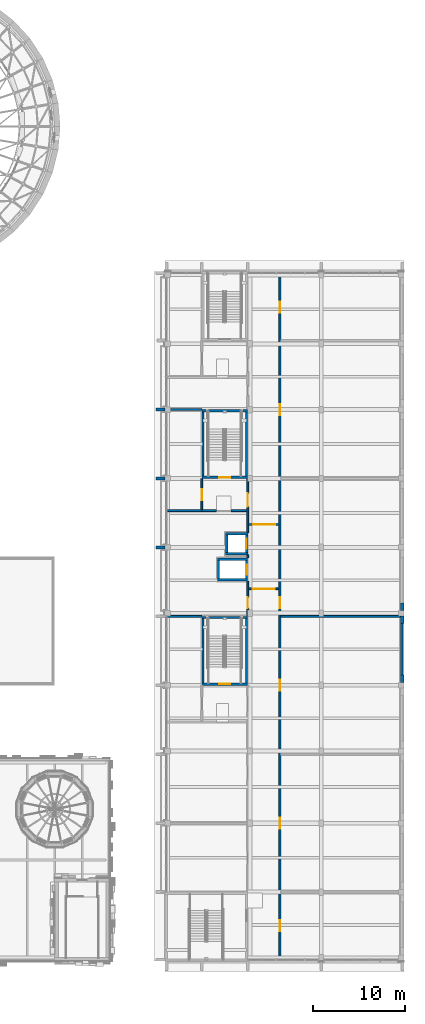
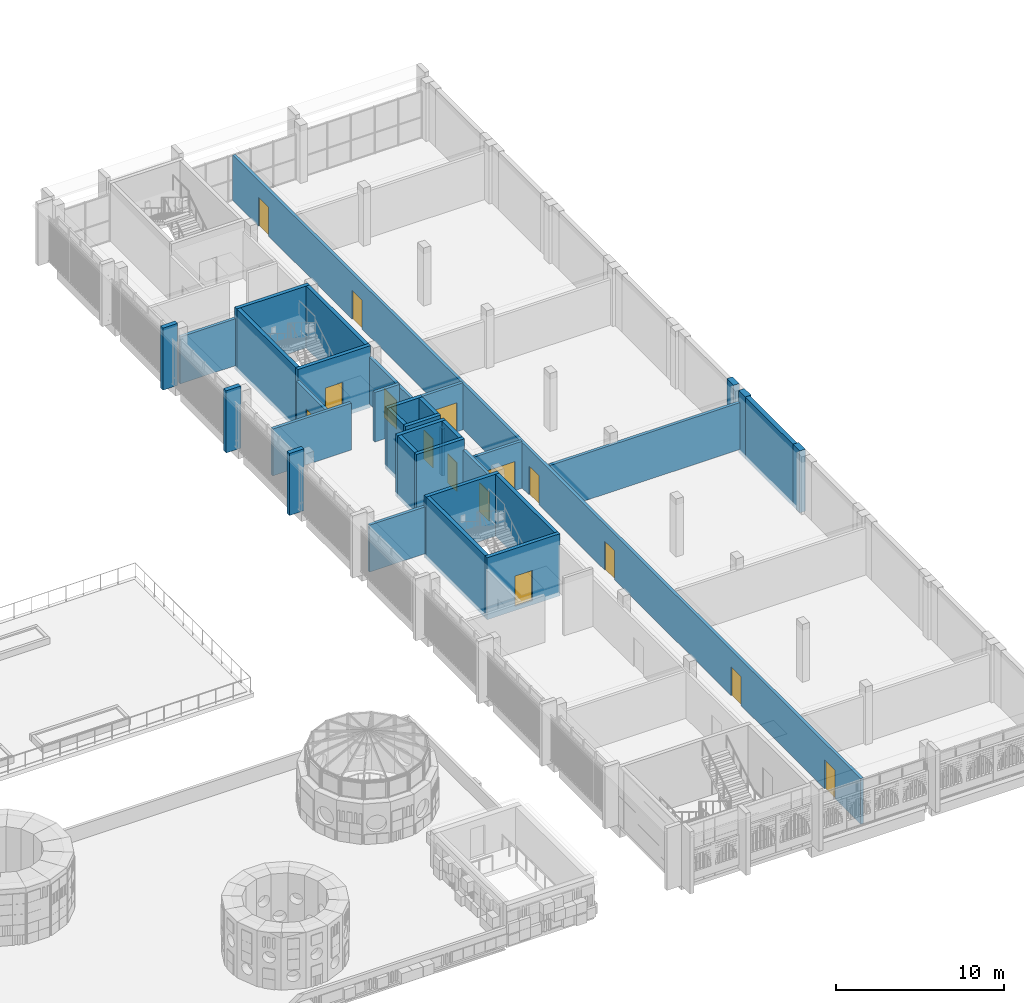
# One storey, part 55 of 98: 35 walls, 15 doors, 15 openings.
"""IFC4 building model written with IfcOpenShell, lengths in metres."""

import ifcopenshell
import ifcopenshell.guid

model = None  # the IFC model being written
_history = None  # IfcOwnerHistory: only IFC2X3 demands one
_inside = {}  # id of a spatial element -> (the spatial element, [elements in it])
_under = {}  # id of a project, library or spatial element -> (it, [spatial elements below it])
_declared = {}  # id of a project -> (the project, [libraries it declares])
_typed = {}  # id of a type object -> (the type object, [elements of that type])
_made_of = {}  # id of a material, layer set ... -> (it, [elements and type objects made of it])


def new_model(schema):
    """Start an empty IFC model of exactly this schema.

    Asked for "IFC4X3", IfcOpenShell would pick the latest addendum, in which some entities
    have other attributes; the version numbers below select the first issue.
    IFC2X3 requires an IfcOwnerHistory on every rooted entity: one is made here for all.
    """
    global model, _history
    if schema == "IFC4X3":
        model = ifcopenshell.file(schema_version=(4, 3, 0, 0))
    else:
        model = ifcopenshell.file(schema=schema)
    _inside.clear()
    _under.clear()
    _declared.clear()
    _typed.clear()
    _made_of.clear()
    _history = None
    if model.schema == "IFC2X3":
        org = make("IfcOrganization", Name="unknown")
        user = make(
            "IfcPersonAndOrganization",
            ThePerson=make("IfcPerson", FamilyName="unknown"),
            TheOrganization=org,
        )
        app = make(
            "IfcApplication",
            ApplicationDeveloper=org,
            Version="unknown",
            ApplicationFullName="unknown",
            ApplicationIdentifier="unknown",
        )
        _history = make(
            "IfcOwnerHistory",
            OwningUser=user,
            OwningApplication=app,
            ChangeAction="ADDED",
            CreationDate=0,
        )
    return model


def make(cls, **values):
    """One entity of the class cls with the attributes given. An attribute that is None is left unset."""
    return model.create_entity(
        cls, **{name: value for name, value in values.items() if value is not None}
    )


def rooted(cls, **values):
    """An entity with a GlobalId (a new one), such as an element, a storey or a relation."""
    return make(cls, GlobalId=ifcopenshell.guid.new(), OwnerHistory=_history, **values)


def si_unit(unit_type, name, prefix=None):
    """IfcSIUnit, for example si_unit("LENGTHUNIT", "METRE", prefix="MILLI")."""
    return make("IfcSIUnit", UnitType=unit_type, Prefix=prefix, Name=name)


def assignment(units):
    """IfcUnitAssignment: the units of a project."""
    return None if units is None else make("IfcUnitAssignment", Units=units)


def point(xyz):
    """IfcCartesianPoint."""
    return None if xyz is None else make("IfcCartesianPoint", Coordinates=xyz)


def direction(xyz):
    """IfcDirection."""
    return None if xyz is None else make("IfcDirection", DirectionRatios=xyz)


def frame(location, z_axis=None, x_axis=None):
    """IfcAxis2Placement3D, a coordinate frame: its origin and axes. An axis left out is left unset."""
    return make(
        "IfcAxis2Placement3D",
        Location=point(location),
        Axis=direction(z_axis),
        RefDirection=direction(x_axis),
    )


def frame_2d(location, x_axis=None):
    """IfcAxis2Placement2D, a coordinate frame in the plane: its origin and x axis."""
    return make(
        "IfcAxis2Placement2D", Location=point(location), RefDirection=direction(x_axis)
    )


def origin():
    """The frame at (0, 0, 0) with its axes left unset."""
    return frame((0.0, 0.0, 0.0))


def place(relative_to, where):
    """IfcLocalPlacement: puts the frame where relative to a parent placement (None: the world)."""
    return make(
        "IfcLocalPlacement", PlacementRelTo=relative_to, RelativePlacement=where
    )


def context(
    kind, dimensions, precision=None, world=None, true_north=None, identifier=None
):
    """IfcGeometricRepresentationContext, for example the 3D "Model" context."""
    return make(
        "IfcGeometricRepresentationContext",
        ContextIdentifier=identifier,
        ContextType=kind,
        CoordinateSpaceDimension=dimensions,
        Precision=precision,
        WorldCoordinateSystem=world,
        TrueNorth=true_north,
    )


def subcontext(parent, identifier, kind, view, scale=None):
    """IfcGeometricRepresentationSubContext, for example "Body" below "Model"."""
    return make(
        "IfcGeometricRepresentationSubContext",
        ContextIdentifier=identifier,
        ContextType=kind,
        ParentContext=parent,
        TargetScale=scale,
        TargetView=view,
    )


def project(units=None, contexts=None):
    """IfcProject with its units and contexts."""
    return rooted(
        "IfcProject",
        Name="project",
        RepresentationContexts=contexts,
        UnitsInContext=assignment(units),
    )


def spatial(cls, under=None, at=None, **own):
    """A site, building, storey or space (cls), placed at a placement, below another one or the project."""
    s = rooted(cls, ObjectPlacement=at, **own)
    if under is not None:
        _under.setdefault(under.id(), (under, []))[1].append(s)
    return s


def profile(cls, at=None, kind="AREA", **sizes):
    """A parametric profile (cls). Its sizes go by their IFC names, for example OverallWidth=200.0."""
    return make(cls, ProfileType=kind, Position=at, **sizes)


def rectangle(**sizes):
    """IfcRectangleProfileDef."""
    return profile("IfcRectangleProfileDef", **sizes)


def extrude(swept, where, along, depth):
    """IfcExtrudedAreaSolid: the profile swept, set in the frame where, extruded along a direction by depth."""
    return make(
        "IfcExtrudedAreaSolid",
        SweptArea=swept,
        Position=where,
        ExtrudedDirection=direction(along),
        Depth=depth,
    )


def shape(context_of_items, identifier, shape_type, items):
    """IfcShapeRepresentation: the items that make up one representation, for example the "Body"."""
    return make(
        "IfcShapeRepresentation",
        ContextOfItems=context_of_items,
        RepresentationIdentifier=identifier,
        RepresentationType=shape_type,
        Items=items,
    )


def material(Name=None, Category=None):
    """IfcMaterial."""
    return make("IfcMaterial", Name=Name, Category=Category)


def layer(
    of_material, thickness, ventilated=None, Name=None, Category=None, Priority=None
):
    """IfcMaterialLayer: one layer of a wall or slab, of a material (None: an air gap)."""
    return make(
        "IfcMaterialLayer",
        Material=of_material,
        LayerThickness=thickness,
        IsVentilated=ventilated,
        Name=Name,
        Category=Category,
        Priority=Priority,
    )


def layer_set(layers, Name=None):
    """IfcMaterialLayerSet."""
    return make("IfcMaterialLayerSet", MaterialLayers=layers, LayerSetName=Name)


def made_of(thing, what):
    """Note that an element or type object is made of a material, layer set ...; save() writes the relation."""
    if what is not None:
        _made_of.setdefault(what.id(), (what, []))[1].append(thing)
    return thing


def type_object(cls, material=None, **own):
    """A type object (cls), such as IfcWallType, which elements share."""
    return made_of(rooted(cls, **own), material)


def element(
    cls,
    number,
    at=None,
    inside=None,
    cuts=None,
    type_object=None,
    material=None,
    context=None,
    identifier="Body",
    shape_type=None,
    held_by="IfcProductDefinitionShape",
    body=None,
    shapes=None,
    **own,
):
    """One element of the class cls, such as IfcWall. Its Tag is "e" and its number.

    at: its placement. inside: the storey or other place that contains it. cuts: it is an
    opening in that element (IfcRelVoidsElement). A single representation is given by context,
    identifier, shape_type and body (its items); several are given by shapes. held_by: the class
    of the entity that holds the representations. save() writes the other relations.
    """
    e = rooted(cls, Tag="e%d" % number, ObjectPlacement=at, **own)
    if body is not None:
        shapes = [shape(context, identifier, shape_type, body)]
    if shapes is not None:
        e.Representation = make(held_by, Representations=shapes)
    if inside is not None:
        _inside.setdefault(inside.id(), (inside, []))[1].append(e)
    if cuts is not None:
        rooted(
            "IfcRelVoidsElement", RelatingBuildingElement=cuts, RelatedOpeningElement=e
        )
    if type_object is not None:
        _typed.setdefault(type_object.id(), (type_object, []))[1].append(e)
    return made_of(e, material)


def fill(opening, filler):
    """IfcRelFillsElement: the door or window that sits in an opening."""
    return rooted(
        "IfcRelFillsElement",
        RelatingOpeningElement=opening,
        RelatedBuildingElement=filler,
    )


def aggregate(whole, parts):
    """IfcRelAggregates: a whole, such as a stair, and the parts it consists of."""
    return rooted("IfcRelAggregates", RelatingObject=whole, RelatedObjects=parts)


def save(model, path):
    """Write the relations noted so far, then the file.

    IfcRelAggregates (storeys below a building ...), IfcRelContainedInSpatialStructure (elements
    in a storey), IfcRelDefinesByType, IfcRelAssociatesMaterial and IfcRelDeclares: one each for
    every whole, place, type object, material and project.
    """
    for whole, parts in _under.values():
        aggregate(whole, parts)
    for where, things in _inside.values():
        rooted(
            "IfcRelContainedInSpatialStructure",
            RelatedElements=things,
            RelatingStructure=where,
        )
    for kind, things in _typed.values():
        rooted("IfcRelDefinesByType", RelatedObjects=things, RelatingType=kind)
    for what, things in _made_of.values():
        rooted("IfcRelAssociatesMaterial", RelatedObjects=things, RelatingMaterial=what)
    for by, libraries in _declared.values():
        rooted("IfcRelDeclares", RelatingContext=by, RelatedDefinitions=libraries)
    model.write(path)


model = new_model("IFC4")

# Units and contexts
model_context = context("Model", 3, precision=1e-05, world=origin(), true_north=direction((0.0, 1.0)))
body_context = subcontext(model_context, "Body", "Model", "MODEL_VIEW")
ifc_project = project(units=[si_unit("LENGTHUNIT", "METRE"), si_unit("AREAUNIT", "SQUARE_METRE"), si_unit("VOLUMEUNIT", "CUBIC_METRE"), si_unit("PLANEANGLEUNIT", "RADIAN"), si_unit("MASSUNIT", "GRAM", prefix="KILO")], contexts=[model_context])

# Site, building, storey
site_placement = place(None, origin())
site = spatial("IfcSite", under=ifc_project, at=site_placement, CompositionType="ELEMENT")
building_placement = place(site_placement, origin())
building = spatial("IfcBuilding", under=site, at=building_placement, Name="Sun Court Science Centre", CompositionType="ELEMENT")
storey_placement = place(building_placement, frame((0.0, 0.0, 15.75)))
storey = spatial("IfcBuildingStorey", under=building, at=storey_placement, Name="L03", CompositionType="ELEMENT", Elevation=15.75)

# Walls
ifc_material_1 = material(Name="Concrete C30/37", Category="concrete")
ifc_layer_1 = layer(ifc_material_1, 0.300048828125)
ifc_layer_set_1 = layer_set([ifc_layer_1], Name="Concrete C30/37")
wall_type_1 = type_object("IfcWallType", Name="Facade fin RC 300", PredefinedType="SOLIDWALL", material=ifc_layer_set_1)
for number, where, z_axis, x_axis, name in (
    (1, (77.0, 51.0, 0.0), (0.0, 0.0, 1.0), (1.0, 0.0, 0.0), "Facade fin 07 L03"),
    (2, (77.0, 58.5, 0.0), (0.0, 0.0, 1.0), (1.0, 0.0, 0.0), "Facade fin 08 L03"),
    (3, (77.0, 66.0, 0.0), (0.0, 0.0, 1.0), (1.0, 0.0, 0.0), "Facade fin 09 L03"),
):
    element("IfcWall", number, at=place(storey_placement, frame(where, z_axis=z_axis, x_axis=x_axis)), inside=storey, type_object=wall_type_1, Name=name, PredefinedType="SOLIDWALL", context=body_context, shape_type="SweptSolid", body=[
        extrude(rectangle(XDim=1.0, YDim=0.300048828125, at=frame_2d((0.5, 0.0))), origin(), (0.0, 0.0, 1.0), 4.5),
    ])
ifc_material_2 = material(Name="Concrete block", Category="concrete")
ifc_layer_2 = layer(ifc_material_2, 0.199951171875)
ifc_layer_set_2 = layer_set([ifc_layer_2], Name="Concrete block")
wall_type_2 = type_object("IfcWallType", Name="Partition 200 block EI60", PredefinedType="PARTITIONING", material=ifc_layer_set_2)
wall_1_placement = place(storey_placement, frame((78.199951171875, 55.0, 0.0), z_axis=(0.0, 0.0, 1.0), x_axis=(1.0, 0.0, 0.0)))
element("IfcWall", 4, at=wall_1_placement, inside=storey, type_object=wall_type_2, Name="L03 partition 010", PredefinedType="PARTITIONING", context=body_context, shape_type="SweptSolid", body=[
    extrude(rectangle(XDim=5.400146484375, YDim=0.199951171875, at=frame_2d((2.7001953125, 0.0))), origin(), (0.0, 0.0, 1.0), 3.39990234375),
])
wall_2_placement = place(storey_placement, frame((85.199951171875, 55.0, 0.0), z_axis=(0.0, 0.0, 1.0), x_axis=(1.0, 0.0, 0.0)))
element("IfcWall", 5, at=wall_2_placement, inside=storey, type_object=wall_type_2, Name="L03 partition 011", PredefinedType="PARTITIONING", context=body_context, shape_type="SweptSolid", body=[
    extrude(rectangle(XDim=1.699951171875, YDim=0.199951171875, at=frame_2d((0.85009765625, 0.0))), origin(), (0.0, 0.0, 1.0), 3.60009765625),
])
wall_3_placement = place(storey_placement, frame((87.0, 49.85205078125, 0.0), z_axis=(0.0, 0.0, 1.0), x_axis=(0.0, 1.0, 0.0)))
element("IfcWall", 6, at=wall_3_placement, inside=storey, type_object=wall_type_2, Name="L03 partition 020", PredefinedType="PARTITIONING", context=body_context, shape_type="SweptSolid", body=[
    extrude(rectangle(XDim=0.33349609375, YDim=0.199951171875, at=frame_2d((0.166748046875, 0.0))), origin(), (0.0, 0.0, 1.0), 3.39990234375),
])

# Wall, opening, door
wall_4_placement = place(storey_placement, frame((82.0, 55.10009765625, 0.0), z_axis=(0.0, 0.0, 1.0), x_axis=(0.0, 1.0, 0.0)))
wall_4 = element("IfcWall", 7, at=wall_4_placement, inside=storey, type_object=wall_type_2, Name="L03 partition 024", PredefinedType="PARTITIONING", context=body_context, shape_type="SweptSolid", body=[
    extrude(rectangle(XDim=3.39794921875, YDim=0.199951171875, at=frame_2d((1.698974609375, 0.0))), origin(), (0.0, 0.0, 1.0), 3.39990234375),
])
opening_1_placement = place(wall_4_placement, frame((1.051025390625, 0.0, 0.0)))
opening_1 = element("IfcOpeningElement", 8, at=opening_1_placement, cuts=wall_4, Name="Opening D-L03-019", PredefinedType="OPENING", context=body_context, shape_type="SweptSolid", body=[
    extrude(rectangle(XDim=1.199951171875, YDim=2.10009765625, at=frame_2d((0.60009765625, 1.050048828125))), frame((0.0, 0.10986328125, 0.0), z_axis=(0.0, -1.0, 0.0), x_axis=(1.0, 0.0, 0.0)), (0.0, 0.0, 1.0), 0.219970703125),
])
ifc_material_3 = material(Name="Timber", Category="wood")
door_type_1 = type_object("IfcDoorType", Name="Door 1200x2100 single leaf", OperationType="NOTDEFINED", PredefinedType="DOOR", material=ifc_material_3)
door_1_placement = place(opening_1_placement, origin())
door_1 = element("IfcDoor", 9, at=door_1_placement, inside=storey, type_object=door_type_1, Name="Door D-L03-019", OperationType="SINGLE_SWING_RIGHT", OverallHeight=2.10009765625, OverallWidth=1.199951171875, PredefinedType="DOOR", context=body_context, shape_type="SweptSolid", body=[
    extrude(rectangle(XDim=1.199951171875, YDim=2.10009765625, at=frame_2d((0.60009765625, 1.050048828125))), frame((0.0, 0.02490234375, 0.0), z_axis=(0.0, -1.0, 0.0), x_axis=(1.0, 0.0, 0.0)), (0.0, 0.0, 1.0), 0.050048828125),
])
fill(opening_1, door_1)

ifc_material_4 = material(Name="Concrete block", Category="concrete")
ifc_layer_3 = layer(ifc_material_4, 0.199951171875)
ifc_layer_set_3 = layer_set([ifc_layer_3], Name="Concrete block")
wall_type_3 = type_object("IfcWallType", Name="Partition 200 corridor block EI120", PredefinedType="PARTITIONING", material=ifc_layer_set_3)
wall_5_placement = place(storey_placement, frame((90.39990234375, 46.5, 0.0), z_axis=(0.0, 0.0, 1.0), x_axis=(-1.0, 0.0, 0.0)))
wall_5 = element("IfcWall", 10, at=wall_5_placement, inside=storey, type_object=wall_type_3, Name="L03 partition 008", PredefinedType="PARTITIONING", context=body_context, shape_type="SweptSolid", body=[
    extrude(rectangle(XDim=3.2998046875, YDim=0.199951171875, at=frame_2d((1.64990234375, 0.0))), origin(), (0.0, 0.0, 1.0), 3.39990234375),
])
opening_2_placement = place(wall_5_placement, frame((0.47705078125, 0.0, 0.0)))
opening_2 = element("IfcOpeningElement", 11, at=opening_2_placement, cuts=wall_5, Name="Opening D-L03-007", PredefinedType="OPENING", context=body_context, shape_type="SweptSolid", body=[
    extrude(rectangle(XDim=2.39990234375, YDim=2.10009765625, at=frame_2d((1.199951171875, 1.050048828125))), frame((0.0, 0.10986328125, 0.0), z_axis=(0.0, -1.0, 0.0), x_axis=(1.0, 0.0, 0.0)), (0.0, 0.0, 1.0), 0.219970703125),
])
ifc_material_5 = material(Name="Steel", Category="steel")
door_type_2 = type_object("IfcDoorType", Name="Door 2400x2100 double leaf FD60", OperationType="DOUBLE_DOOR_SINGLE_SWING", PredefinedType="DOOR", material=ifc_material_5)
door_2_placement = place(opening_2_placement, origin())
door_2 = element("IfcDoor", 12, at=door_2_placement, inside=storey, type_object=door_type_2, Name="Door D-L03-007", OperationType="DOUBLE_DOOR_SINGLE_SWING", OverallHeight=2.10009765625, OverallWidth=2.39990234375, PredefinedType="DOOR", context=body_context, shape_type="SweptSolid", body=[
    extrude(rectangle(XDim=2.39990234375, YDim=2.10009765625, at=frame_2d((1.199951171875, 1.050048828125))), frame((0.0, 0.02490234375, 0.0), z_axis=(0.0, -1.0, 0.0), x_axis=(1.0, 0.0, 0.0)), (0.0, 0.0, 1.0), 0.050048828125),
])
fill(opening_2, door_2)

wall_6_placement = place(storey_placement, frame((87.10009765625, 53.5, 0.0), z_axis=(0.0, 0.0, 1.0), x_axis=(1.0, 0.0, 0.0)))
wall_6 = element("IfcWall", 13, at=wall_6_placement, inside=storey, type_object=wall_type_3, Name="L03 partition 009", PredefinedType="PARTITIONING", context=body_context, shape_type="SweptSolid", body=[
    extrude(rectangle(XDim=3.2998046875, YDim=0.199951171875, at=frame_2d((1.64990234375, 0.0))), origin(), (0.0, 0.0, 1.0), 3.39990234375),
])
opening_3_placement = place(wall_6_placement, frame((0.47705078125, 0.0, 0.0)))
opening_3 = element("IfcOpeningElement", 14, at=opening_3_placement, cuts=wall_6, Name="Opening D-L03-004", PredefinedType="OPENING", context=body_context, shape_type="SweptSolid", body=[
    extrude(rectangle(XDim=2.39990234375, YDim=2.10009765625, at=frame_2d((1.199951171875, 1.050048828125))), frame((0.0, 0.10986328125, 0.0), z_axis=(0.0, -1.0, 0.0), x_axis=(1.0, 0.0, 0.0)), (0.0, 0.0, 1.0), 0.219970703125),
])
door_3_placement = place(opening_3_placement, origin())
door_3 = element("IfcDoor", 15, at=door_3_placement, inside=storey, type_object=door_type_2, Name="Door D-L03-004", OperationType="DOUBLE_DOOR_SINGLE_SWING", OverallHeight=2.10009765625, OverallWidth=2.39990234375, PredefinedType="DOOR", context=body_context, shape_type="SweptSolid", body=[
    extrude(rectangle(XDim=2.39990234375, YDim=2.10009765625, at=frame_2d((1.199951171875, 1.050048828125))), frame((0.0, 0.02490234375, 0.0), z_axis=(0.0, -1.0, 0.0), x_axis=(1.0, 0.0, 0.0)), (0.0, 0.0, 1.0), 0.050048828125),
])
fill(opening_3, door_3)

# Wall, openings, doors
wall_7_placement = place(storey_placement, frame((90.5, 80.800048828125, 0.0), z_axis=(0.0, 0.0, 1.0), x_axis=(0.0, -1.0, 0.0)))
wall_7 = element("IfcWall", 16, at=wall_7_placement, inside=storey, type_object=wall_type_3, Name="L03 partition 017", PredefinedType="PARTITIONING", context=body_context, shape_type="SweptSolid", body=[
    extrude(rectangle(XDim=74.60009765625, YDim=0.199951171875, at=frame_2d((37.300048828125, 0.0))), origin(), (0.0, 0.0, 1.0), 3.300048828125),
])
opening_4_placement = place(wall_7_placement, frame((70.35009765625, 0.0, 0.0)))
opening_4 = element("IfcOpeningElement", 17, at=opening_4_placement, cuts=wall_7, Name="Opening D-L03-022", PredefinedType="OPENING", context=body_context, shape_type="SweptSolid", body=[
    extrude(rectangle(XDim=1.199951171875, YDim=2.10009765625, at=frame_2d((0.60009765625, 1.050048828125))), frame((0.0, 0.10986328125, 0.0), z_axis=(0.0, -1.0, 0.0), x_axis=(1.0, 0.0, 0.0)), (0.0, 0.0, 1.0), 0.219970703125),
])
opening_5_placement = place(wall_7_placement, frame((59.199951171875, 0.0, 0.0)))
opening_5 = element("IfcOpeningElement", 18, at=opening_5_placement, cuts=wall_7, Name="Opening D-L03-023", PredefinedType="OPENING", context=body_context, shape_type="SweptSolid", body=[
    extrude(rectangle(XDim=1.199951171875, YDim=2.10009765625, at=frame_2d((0.60009765625, 1.050048828125))), frame((0.0, 0.10986328125, 0.0), z_axis=(0.0, -1.0, 0.0), x_axis=(1.0, 0.0, 0.0)), (0.0, 0.0, 1.0), 0.219970703125),
])
opening_6_placement = place(wall_7_placement, frame((44.199951171875, 0.0, 0.0)))
opening_6 = element("IfcOpeningElement", 19, at=opening_6_placement, cuts=wall_7, Name="Opening D-L03-024", PredefinedType="OPENING", context=body_context, shape_type="SweptSolid", body=[
    extrude(rectangle(XDim=1.199951171875, YDim=2.10009765625, at=frame_2d((0.60009765625, 1.050048828125))), frame((0.0, 0.10986328125, 0.0), z_axis=(0.0, -1.0, 0.0), x_axis=(1.0, 0.0, 0.0)), (0.0, 0.0, 1.0), 0.219970703125),
])
opening_7_placement = place(wall_7_placement, frame((35.198974609375, 0.0, 0.0)))
opening_7 = element("IfcOpeningElement", 20, at=opening_7_placement, cuts=wall_7, Name="Opening D-L03-025", PredefinedType="OPENING", context=body_context, shape_type="SweptSolid", body=[
    extrude(rectangle(XDim=1.199951171875, YDim=2.10009765625, at=frame_2d((0.60009765625, 1.050048828125))), frame((0.0, 0.10986328125, 0.0), z_axis=(0.0, -1.0, 0.0), x_axis=(1.0, 0.0, 0.0)), (0.0, 0.0, 1.0), 0.219970703125),
])
opening_8_placement = place(wall_7_placement, frame((14.199951171875, 0.0, 0.0)))
opening_8 = element("IfcOpeningElement", 21, at=opening_8_placement, cuts=wall_7, Name="Opening D-L03-026", PredefinedType="OPENING", context=body_context, shape_type="SweptSolid", body=[
    extrude(rectangle(XDim=1.199951171875, YDim=2.10009765625, at=frame_2d((0.60009765625, 1.050048828125))), frame((0.0, 0.10986328125, 0.0), z_axis=(0.0, -1.0, 0.0), x_axis=(1.0, 0.0, 0.0)), (0.0, 0.0, 1.0), 0.219970703125),
])
opening_9_placement = place(wall_7_placement, frame((3.074951171875, 0.0, 0.0)))
opening_9 = element("IfcOpeningElement", 22, at=opening_9_placement, cuts=wall_7, Name="Opening D-L03-027", PredefinedType="OPENING", context=body_context, shape_type="SweptSolid", body=[
    extrude(rectangle(XDim=1.199951171875, YDim=2.10009765625, at=frame_2d((0.60009765625, 1.050048828125))), frame((0.0, 0.10986328125, 0.0), z_axis=(0.0, -1.0, 0.0), x_axis=(1.0, 0.0, 0.0)), (0.0, 0.0, 1.0), 0.219970703125),
])
ifc_material_6 = material(Name="Steel", Category="steel")
door_type_3 = type_object("IfcDoorType", Name="Door 1200x2100 single leaf FD60", OperationType="NOTDEFINED", PredefinedType="DOOR", material=ifc_material_6)
door_4_placement = place(opening_4_placement, origin())
door_4 = element("IfcDoor", 23, at=door_4_placement, inside=storey, type_object=door_type_3, Name="Door D-L03-022", OperationType="SINGLE_SWING_LEFT", OverallHeight=2.10009765625, OverallWidth=1.199951171875, PredefinedType="DOOR", context=body_context, shape_type="SweptSolid", body=[
    extrude(rectangle(XDim=1.199951171875, YDim=2.10009765625, at=frame_2d((0.60009765625, 1.050048828125))), frame((0.0, 0.02490234375, 0.0), z_axis=(0.0, -1.0, 0.0), x_axis=(1.0, 0.0, 0.0)), (0.0, 0.0, 1.0), 0.050048828125),
])
fill(opening_4, door_4)
door_5_placement = place(opening_5_placement, origin())
door_5 = element("IfcDoor", 24, at=door_5_placement, inside=storey, type_object=door_type_3, Name="Door D-L03-023", OperationType="SINGLE_SWING_LEFT", OverallHeight=2.10009765625, OverallWidth=1.199951171875, PredefinedType="DOOR", context=body_context, shape_type="SweptSolid", body=[
    extrude(rectangle(XDim=1.199951171875, YDim=2.10009765625, at=frame_2d((0.60009765625, 1.050048828125))), frame((0.0, 0.02490234375, 0.0), z_axis=(0.0, -1.0, 0.0), x_axis=(1.0, 0.0, 0.0)), (0.0, 0.0, 1.0), 0.050048828125),
])
fill(opening_5, door_5)
door_6_placement = place(opening_6_placement, origin())
door_6 = element("IfcDoor", 25, at=door_6_placement, inside=storey, type_object=door_type_3, Name="Door D-L03-024", OperationType="SINGLE_SWING_LEFT", OverallHeight=2.10009765625, OverallWidth=1.199951171875, PredefinedType="DOOR", context=body_context, shape_type="SweptSolid", body=[
    extrude(rectangle(XDim=1.199951171875, YDim=2.10009765625, at=frame_2d((0.60009765625, 1.050048828125))), frame((0.0, 0.02490234375, 0.0), z_axis=(0.0, -1.0, 0.0), x_axis=(1.0, 0.0, 0.0)), (0.0, 0.0, 1.0), 0.050048828125),
])
fill(opening_6, door_6)
door_7_placement = place(opening_7_placement, origin())
door_7 = element("IfcDoor", 26, at=door_7_placement, inside=storey, type_object=door_type_3, Name="Door D-L03-025", OperationType="SINGLE_SWING_RIGHT", OverallHeight=2.10009765625, OverallWidth=1.199951171875, PredefinedType="DOOR", context=body_context, shape_type="SweptSolid", body=[
    extrude(rectangle(XDim=1.199951171875, YDim=2.10009765625, at=frame_2d((0.60009765625, 1.050048828125))), frame((0.0, 0.02490234375, 0.0), z_axis=(0.0, -1.0, 0.0), x_axis=(1.0, 0.0, 0.0)), (0.0, 0.0, 1.0), 0.050048828125),
])
fill(opening_7, door_7)
door_8_placement = place(opening_8_placement, origin())
door_8 = element("IfcDoor", 27, at=door_8_placement, inside=storey, type_object=door_type_3, Name="Door D-L03-026", OperationType="SINGLE_SWING_RIGHT", OverallHeight=2.10009765625, OverallWidth=1.199951171875, PredefinedType="DOOR", context=body_context, shape_type="SweptSolid", body=[
    extrude(rectangle(XDim=1.199951171875, YDim=2.10009765625, at=frame_2d((0.60009765625, 1.050048828125))), frame((0.0, 0.02490234375, 0.0), z_axis=(0.0, -1.0, 0.0), x_axis=(1.0, 0.0, 0.0)), (0.0, 0.0, 1.0), 0.050048828125),
])
fill(opening_8, door_8)
door_9_placement = place(opening_9_placement, origin())
door_9 = element("IfcDoor", 28, at=door_9_placement, inside=storey, type_object=door_type_3, Name="Door D-L03-027", OperationType="SINGLE_SWING_RIGHT", OverallHeight=2.10009765625, OverallWidth=1.199951171875, PredefinedType="DOOR", context=body_context, shape_type="SweptSolid", body=[
    extrude(rectangle(XDim=1.199951171875, YDim=2.10009765625, at=frame_2d((0.60009765625, 1.050048828125))), frame((0.0, 0.02490234375, 0.0), z_axis=(0.0, -1.0, 0.0), x_axis=(1.0, 0.0, 0.0)), (0.0, 0.0, 1.0), 0.050048828125),
])
fill(opening_9, door_9)

# Wall, opening, door
wall_8_placement = place(storey_placement, frame((87.0, 43.501953125, 0.0), z_axis=(0.0, 0.0, 1.0), x_axis=(0.0, 1.0, 0.0)))
wall_8 = element("IfcWall", 29, at=wall_8_placement, inside=storey, type_object=wall_type_3, Name="L03 partition 019", PredefinedType="PARTITIONING", context=body_context, shape_type="SweptSolid", body=[
    extrude(rectangle(XDim=3.845947265625, YDim=0.199951171875, at=frame_2d((1.9228515625, 0.0))), origin(), (0.0, 0.0, 1.0), 3.39990234375),
])
opening_10_placement = place(wall_8_placement, frame((0.89892578125, 0.0, 0.0)))
opening_10 = element("IfcOpeningElement", 30, at=opening_10_placement, cuts=wall_8, Name="Opening D-L03-018", PredefinedType="OPENING", context=body_context, shape_type="SweptSolid", body=[
    extrude(rectangle(XDim=1.199951171875, YDim=2.10009765625, at=frame_2d((0.60009765625, 1.050048828125))), frame((0.0, 0.10986328125, 0.0), z_axis=(0.0, -1.0, 0.0), x_axis=(1.0, 0.0, 0.0)), (0.0, 0.0, 1.0), 0.219970703125),
])
door_10_placement = place(opening_10_placement, origin())
door_10 = element("IfcDoor", 31, at=door_10_placement, inside=storey, type_object=door_type_3, Name="Door D-L03-018", OperationType="SINGLE_SWING_RIGHT", OverallHeight=2.10009765625, OverallWidth=1.199951171875, PredefinedType="DOOR", context=body_context, shape_type="SweptSolid", body=[
    extrude(rectangle(XDim=1.199951171875, YDim=2.10009765625, at=frame_2d((0.60009765625, 1.050048828125))), frame((0.0, 0.02490234375, 0.0), z_axis=(0.0, -1.0, 0.0), x_axis=(1.0, 0.0, 0.0)), (0.0, 0.0, 1.0), 0.050048828125),
])
fill(opening_10, door_10)

wall_9_placement = place(storey_placement, frame((87.0, 52.614501953125, 0.0), z_axis=(0.0, 0.0, 1.0), x_axis=(0.0, 1.0, 0.0)))
wall_9 = element("IfcWall", 32, at=wall_9_placement, inside=storey, type_object=wall_type_3, Name="L03 partition 021", PredefinedType="PARTITIONING", context=body_context, shape_type="SweptSolid", body=[
    extrude(rectangle(XDim=5.883544921875, YDim=0.199951171875, at=frame_2d((2.94189453125, 0.0))), origin(), (0.0, 0.0, 1.0), 3.39990234375),
])
opening_11_placement = place(wall_9_placement, frame((2.785400390625, 0.0, 0.0)))
opening_11 = element("IfcOpeningElement", 33, at=opening_11_placement, cuts=wall_9, Name="Opening D-L03-011", PredefinedType="OPENING", context=body_context, shape_type="SweptSolid", body=[
    extrude(rectangle(XDim=1.5, YDim=2.10009765625, at=frame_2d((0.75, 1.050048828125))), frame((0.0, 0.10986328125, 0.0), z_axis=(0.0, -1.0, 0.0), x_axis=(1.0, 0.0, 0.0)), (0.0, 0.0, 1.0), 0.219970703125),
])
ifc_material_7 = material(Name="Steel", Category="steel")
door_type_4 = type_object("IfcDoorType", Name="Door 1500x2100 double leaf FD60", OperationType="DOUBLE_DOOR_SINGLE_SWING", PredefinedType="DOOR", material=ifc_material_7)
door_11_placement = place(opening_11_placement, origin())
door_11 = element("IfcDoor", 34, at=door_11_placement, inside=storey, type_object=door_type_4, Name="Door D-L03-011", OperationType="DOUBLE_DOOR_SINGLE_SWING", OverallHeight=2.10009765625, OverallWidth=1.5, PredefinedType="DOOR", context=body_context, shape_type="SweptSolid", body=[
    extrude(rectangle(XDim=1.5, YDim=2.10009765625, at=frame_2d((0.75, 1.050048828125))), frame((0.0, 0.02490234375, 0.0), z_axis=(0.0, -1.0, 0.0), x_axis=(1.0, 0.0, 0.0)), (0.0, 0.0, 1.0), 0.050048828125),
])
fill(opening_11, door_11)

# Walls
ifc_material_8 = material(Name="Concrete block", Category="concrete")
ifc_layer_4 = layer(ifc_material_8, 0.199951171875)
ifc_layer_set_4 = layer_set([ifc_layer_4], Name="Concrete block")
wall_type_4 = type_object("IfcWallType", Name="Partition 200 laboratory block", PredefinedType="PARTITIONING", material=ifc_layer_set_4)
wall_10_placement = place(storey_placement, frame((78.199951171875, 43.5, 0.0), z_axis=(0.0, 0.0, 1.0), x_axis=(1.0, 0.0, 0.0)))
element("IfcWall", 35, at=wall_10_placement, inside=storey, type_object=wall_type_4, Name="L03 partition 006", PredefinedType="PARTITIONING", context=body_context, shape_type="SweptSolid", body=[
    extrude(rectangle(XDim=3.798095703125, YDim=0.199951171875, at=frame_2d((1.89892578125, 0.0))), origin(), (0.0, 0.0, 1.0), 3.39990234375),
])
wall_11_placement = place(storey_placement, frame((90.60009765625, 43.5, 0.0), z_axis=(0.0, 0.0, 1.0), x_axis=(1.0, 0.0, 0.0)))
element("IfcWall", 36, at=wall_11_placement, inside=storey, type_object=wall_type_4, Name="L03 partition 007", PredefinedType="PARTITIONING", context=body_context, shape_type="SweptSolid", body=[
    extrude(rectangle(XDim=12.997802734375, YDim=0.199951171875, at=frame_2d((6.4990234375, 0.0))), origin(), (0.0, 0.0, 1.0), 3.39990234375),
])
ifc_material_9 = material(Name="Gypsum board")
ifc_layer_5 = layer(ifc_material_9, 0.199951171875)
ifc_layer_set_5 = layer_set([ifc_layer_5], Name="Gypsum board")
wall_type_5 = type_object("IfcWallType", Name="Partition 200 stud EI30", PredefinedType="PARTITIONING", material=ifc_layer_set_5)
wall_12_placement = place(storey_placement, frame((78.199951171875, 66.0, 0.0), z_axis=(0.0, 0.0, 1.0), x_axis=(1.0, 0.0, 0.0)))
element("IfcWall", 37, at=wall_12_placement, inside=storey, type_object=wall_type_5, Name="L03 partition 013", PredefinedType="PARTITIONING", context=body_context, shape_type="SweptSolid", body=[
    extrude(rectangle(XDim=3.798095703125, YDim=0.199951171875, at=frame_2d((1.89892578125, 0.0))), origin(), (0.0, 0.0, 1.0), 3.39990234375),
])
ifc_material_10 = material(Name="Concrete C30/37", Category="concrete")
ifc_layer_6 = layer(ifc_material_10, 0.39990234375)
ifc_layer_set_6 = layer_set([ifc_layer_6], Name="Concrete C30/37")
wall_type_6 = type_object("IfcWallType", Name="RC party wall exterior 400", PredefinedType="SOLIDWALL", material=ifc_layer_set_6)
for number, where, z_axis, x_axis, name in (
    (38, (103.800048828125, 36.300048828125, -0.300048828125), (0.0, 0.0, 1.0), (0.0, 1.0, 0.0), "East party wall L03"),
    (39, (103.800048828125, 42.75, -0.300048828125), (0.0, 0.0, 1.0), (0.0, 1.0, 0.0), "East party wall L03"),
    (40, (103.800048828125, 44.14990234375, -0.300048828125), (0.0, 0.0, 1.0), (0.0, 1.0, 0.0), "East party wall L03"),
):
    element("IfcWall", number, at=place(storey_placement, frame(where, z_axis=z_axis, x_axis=x_axis)), inside=storey, type_object=wall_type_6, Name=name, PredefinedType="SOLIDWALL", context=body_context, shape_type="SweptSolid", body=[
        extrude(rectangle(XDim=0.800048828125, YDim=0.39990234375, at=frame_2d((0.39990234375, 0.0))), origin(), (0.0, 0.0, 1.0), 4.5),
    ])
ifc_material_11 = material(Name="Concrete C30/37", Category="concrete")
ifc_layer_7 = layer(ifc_material_11, 0.300048828125)
ifc_layer_set_7 = layer_set([ifc_layer_7], Name="Concrete C30/37")
wall_type_7 = type_object("IfcWallType", Name="RC party wall panel exterior 300", PredefinedType="SOLIDWALL", material=ifc_layer_set_7)
wall_13_placement = place(storey_placement, frame((103.75, 37.10009765625, -0.300048828125), z_axis=(0.0, 0.0, 1.0), x_axis=(0.0, 1.0, 0.0)))
element("IfcWall", 41, at=wall_13_placement, inside=storey, type_object=wall_type_7, Name="East party wall L03 panel", PredefinedType="SOLIDWALL", context=body_context, shape_type="SweptSolid", body=[
    extrude(rectangle(XDim=5.64990234375, YDim=0.300048828125, at=frame_2d((2.824951171875, 0.0))), origin(), (0.0, 0.0, 1.0), 4.5),
])
ifc_material_12 = material(Name="Concrete C30/37", Category="concrete")
ifc_layer_8 = layer(ifc_material_12, 0.25)
ifc_layer_set_8 = layer_set([ifc_layer_8], Name="Concrete C30/37")
wall_type_8 = type_object("IfcWallType", Name="RC shaft wall 250", PredefinedType="SHEAR", material=ifc_layer_set_8)
wall_14_placement = place(storey_placement, frame((83.699951171875, 47.47509765625, -0.300048828125), z_axis=(0.0, 0.0, 1.0), x_axis=(1.0, 0.0, 0.0)))
element("IfcWall", 42, at=wall_14_placement, inside=storey, type_object=wall_type_8, Name="Lift core LL1 wall S, L03", PredefinedType="SHEAR", context=body_context, shape_type="SweptSolid", body=[
    extrude(rectangle(XDim=3.300048828125, YDim=0.25, at=frame_2d((1.64990234375, 0.0))), origin(), (0.0, 0.0, 1.0), 4.5),
])

# Wall, opening, door
wall_15_placement = place(storey_placement, frame((86.875, 47.60009765625, -0.300048828125), z_axis=(0.0, 0.0, 1.0), x_axis=(0.0, 1.0, 0.0)))
wall_15 = element("IfcWall", 43, at=wall_15_placement, inside=storey, type_object=wall_type_8, Name="Lift core LL1 wall E, L03", PredefinedType="SHEAR", context=body_context, shape_type="SweptSolid", body=[
    extrude(rectangle(XDim=2.0, YDim=0.25, at=frame_2d((1.0, 0.0))), origin(), (0.0, 0.0, 1.0), 4.5),
])
opening_12_placement = place(wall_15_placement, frame((0.424072265625, 0.0, 0.300048828125)))
opening_12 = element("IfcOpeningElement", 44, at=opening_12_placement, cuts=wall_15, Name="Opening D-L03-005", PredefinedType="OPENING", context=body_context, shape_type="SweptSolid", body=[
    extrude(rectangle(XDim=1.10009765625, YDim=2.10009765625, at=frame_2d((0.550048828125, 1.050048828125))), frame((0.0, 0.135009765625, 0.0), z_axis=(0.0, -1.0, 0.0), x_axis=(1.0, 0.0, 0.0)), (0.0, 0.0, 1.0), 0.27001953125),
])
ifc_material_13 = material(Name="Steel", Category="steel")
door_type_5 = type_object("IfcDoorType", Name="Lift landing door 1100x2100 sliding", OperationType="DOUBLE_DOOR_SLIDING", PredefinedType="DOOR", material=ifc_material_13)
door_12_placement = place(opening_12_placement, origin())
door_12 = element("IfcDoor", 45, at=door_12_placement, inside=storey, type_object=door_type_5, Name="Lift landing door D-L03-005", OperationType="DOUBLE_DOOR_SLIDING", OverallHeight=2.10009765625, OverallWidth=1.10009765625, PredefinedType="DOOR", context=body_context, shape_type="SweptSolid", body=[
    extrude(rectangle(XDim=1.10009765625, YDim=2.10009765625, at=frame_2d((0.550048828125, 1.050048828125))), frame((0.0, 0.02490234375, 0.0), z_axis=(0.0, -1.0, 0.0), x_axis=(1.0, 0.0, 0.0)), (0.0, 0.0, 1.0), 0.050048828125),
])
fill(opening_12, door_12)

# Walls
wall_16_placement = place(storey_placement, frame((83.699951171875, 49.72509765625, -0.300048828125), z_axis=(0.0, 0.0, 1.0), x_axis=(1.0, 0.0, 0.0)))
element("IfcWall", 46, at=wall_16_placement, inside=storey, type_object=wall_type_8, Name="Lift core LL1 wall N, L03", PredefinedType="SHEAR", context=body_context, shape_type="SweptSolid", body=[
    extrude(rectangle(XDim=3.300048828125, YDim=0.25, at=frame_2d((1.64990234375, 0.0))), origin(), (0.0, 0.0, 1.0), 4.5),
])
wall_17_placement = place(storey_placement, frame((83.824951171875, 47.60009765625, -0.300048828125), z_axis=(0.0, 0.0, 1.0), x_axis=(0.0, 1.0, 0.0)))
element("IfcWall", 47, at=wall_17_placement, inside=storey, type_object=wall_type_8, Name="Lift core LL1 wall W, L03", PredefinedType="SHEAR", context=body_context, shape_type="SweptSolid", body=[
    extrude(rectangle(XDim=2.0, YDim=0.25, at=frame_2d((1.0, 0.0))), origin(), (0.0, 0.0, 1.0), 4.5),
])
wall_18_placement = place(storey_placement, frame((84.577392578125, 50.3125, -0.300048828125), z_axis=(0.0, 0.0, 1.0), x_axis=(1.0, 0.0, 0.0)))
element("IfcWall", 48, at=wall_18_placement, inside=storey, type_object=wall_type_8, Name="Lift core LL2 wall S, L03", PredefinedType="SHEAR", context=body_context, shape_type="SweptSolid", body=[
    extrude(rectangle(XDim=2.425048828125, YDim=0.25, at=frame_2d((1.21240234375, 0.0))), origin(), (0.0, 0.0, 1.0), 4.5),
])

# Wall, opening, door
wall_19_placement = place(storey_placement, frame((86.87744140625, 50.4375, -0.300048828125), z_axis=(0.0, 0.0, 1.0), x_axis=(0.0, 1.0, 0.0)))
wall_19 = element("IfcWall", 49, at=wall_19_placement, inside=storey, type_object=wall_type_8, Name="Lift core LL2 wall E, L03", PredefinedType="SHEAR", context=body_context, shape_type="SweptSolid", body=[
    extrude(rectangle(XDim=1.925048828125, YDim=0.25, at=frame_2d((0.96240234375, 0.0))), origin(), (0.0, 0.0, 1.0), 4.5),
])
opening_13_placement = place(wall_19_placement, frame((0.41259765625, 0.0, 0.300048828125)))
opening_13 = element("IfcOpeningElement", 50, at=opening_13_placement, cuts=wall_19, Name="Opening D-L03-006", PredefinedType="OPENING", context=body_context, shape_type="SweptSolid", body=[
    extrude(rectangle(XDim=1.10009765625, YDim=2.10009765625, at=frame_2d((0.550048828125, 1.050048828125))), frame((0.0, 0.135009765625, 0.0), z_axis=(0.0, -1.0, 0.0), x_axis=(1.0, 0.0, 0.0)), (0.0, 0.0, 1.0), 0.27001953125),
])
door_13_placement = place(opening_13_placement, origin())
door_13 = element("IfcDoor", 51, at=door_13_placement, inside=storey, type_object=door_type_5, Name="Lift landing door D-L03-006", OperationType="DOUBLE_DOOR_SLIDING", OverallHeight=2.10009765625, OverallWidth=1.10009765625, PredefinedType="DOOR", context=body_context, shape_type="SweptSolid", body=[
    extrude(rectangle(XDim=1.10009765625, YDim=2.10009765625, at=frame_2d((0.550048828125, 1.050048828125))), frame((0.0, 0.02490234375, 0.0), z_axis=(0.0, -1.0, 0.0), x_axis=(1.0, 0.0, 0.0)), (0.0, 0.0, 1.0), 0.050048828125),
])
fill(opening_13, door_13)

# Walls
wall_20_placement = place(storey_placement, frame((84.577392578125, 52.487548828125, -0.300048828125), z_axis=(0.0, 0.0, 1.0), x_axis=(1.0, 0.0, 0.0)))
element("IfcWall", 52, at=wall_20_placement, inside=storey, type_object=wall_type_8, Name="Lift core LL2 wall N, L03", PredefinedType="SHEAR", context=body_context, shape_type="SweptSolid", body=[
    extrude(rectangle(XDim=2.425048828125, YDim=0.25, at=frame_2d((1.21240234375, 0.0))), origin(), (0.0, 0.0, 1.0), 4.5),
])
wall_21_placement = place(storey_placement, frame((84.702392578125, 50.4375, -0.300048828125), z_axis=(0.0, 0.0, 1.0), x_axis=(0.0, 1.0, 0.0)))
element("IfcWall", 53, at=wall_21_placement, inside=storey, type_object=wall_type_8, Name="Lift core LL2 wall W, L03", PredefinedType="SHEAR", context=body_context, shape_type="SweptSolid", body=[
    extrude(rectangle(XDim=1.925048828125, YDim=0.25, at=frame_2d((0.96240234375, 0.0))), origin(), (0.0, 0.0, 1.0), 4.5),
])

# Wall, opening, door
ifc_material_14 = material(Name="Concrete C30/37", Category="concrete")
ifc_layer_9 = layer(ifc_material_14, 0.25)
ifc_layer_set_9 = layer_set([ifc_layer_9], Name="Concrete C30/37")
wall_type_9 = type_object("IfcWallType", Name="RC stair core wall 250", PredefinedType="SHEAR", material=ifc_layer_set_9)
wall_22_placement = place(storey_placement, frame((82.0, 36.125, -0.300048828125), z_axis=(0.0, 0.0, 1.0), x_axis=(1.0, 0.0, 0.0)))
wall_22 = element("IfcWall", 54, at=wall_22_placement, inside=storey, type_object=wall_type_9, Name="Stair core SL2 wall S, L03", PredefinedType="SHEAR", context=body_context, shape_type="SweptSolid", body=[
    extrude(rectangle(XDim=5.0, YDim=0.25, at=frame_2d((2.5, 0.0))), origin(), (0.0, 0.0, 1.0), 4.5),
])
opening_14_placement = place(wall_22_placement, frame((1.89990234375, 0.0, 0.300048828125)))
opening_14 = element("IfcOpeningElement", 55, at=opening_14_placement, cuts=wall_22, Name="Opening D-L03-008", PredefinedType="OPENING", context=body_context, shape_type="SweptSolid", body=[
    extrude(rectangle(XDim=1.199951171875, YDim=2.199951171875, at=frame_2d((0.60009765625, 1.10009765625))), frame((0.0, 0.135009765625, 0.0), z_axis=(0.0, -1.0, 0.0), x_axis=(1.0, 0.0, 0.0)), (0.0, 0.0, 1.0), 0.27001953125),
])
ifc_material_15 = material(Name="Steel", Category="steel")
door_type_6 = type_object("IfcDoorType", Name="Door 1200x2200 single leaf FD60", OperationType="NOTDEFINED", PredefinedType="DOOR", material=ifc_material_15)
door_14_placement = place(opening_14_placement, origin())
door_14 = element("IfcDoor", 56, at=door_14_placement, inside=storey, type_object=door_type_6, Name="Door D-L03-008", OperationType="SINGLE_SWING_LEFT", OverallHeight=2.199951171875, OverallWidth=1.199951171875, PredefinedType="DOOR", context=body_context, shape_type="SweptSolid", body=[
    extrude(rectangle(XDim=1.199951171875, YDim=2.199951171875, at=frame_2d((0.60009765625, 1.10009765625))), frame((0.0, 0.02490234375, 0.0), z_axis=(0.0, -1.0, 0.0), x_axis=(1.0, 0.0, 0.0)), (0.0, 0.0, 1.0), 0.050048828125),
])
fill(opening_14, door_14)

# Walls
wall_23_placement = place(storey_placement, frame((86.875, 36.25, -0.300048828125), z_axis=(0.0, 0.0, 1.0), x_axis=(0.0, 1.0, 0.0)))
element("IfcWall", 57, at=wall_23_placement, inside=storey, type_object=wall_type_9, Name="Stair core SL2 wall E, L03", PredefinedType="SHEAR", context=body_context, shape_type="SweptSolid", body=[
    extrude(rectangle(XDim=7.0, YDim=0.25, at=frame_2d((3.5, 0.0))), origin(), (0.0, 0.0, 1.0), 4.5),
])
wall_24_placement = place(storey_placement, frame((82.0, 43.375, -0.300048828125), z_axis=(0.0, 0.0, 1.0), x_axis=(1.0, 0.0, 0.0)))
element("IfcWall", 58, at=wall_24_placement, inside=storey, type_object=wall_type_9, Name="Stair core SL2 wall N, L03", PredefinedType="SHEAR", context=body_context, shape_type="SweptSolid", body=[
    extrude(rectangle(XDim=5.0, YDim=0.25, at=frame_2d((2.5, 0.0))), origin(), (0.0, 0.0, 1.0), 4.5),
])
wall_25_placement = place(storey_placement, frame((82.125, 36.25, -0.300048828125), z_axis=(0.0, 0.0, 1.0), x_axis=(0.0, 1.0, 0.0)))
element("IfcWall", 59, at=wall_25_placement, inside=storey, type_object=wall_type_9, Name="Stair core SL2 wall W, L03", PredefinedType="SHEAR", context=body_context, shape_type="SweptSolid", body=[
    extrude(rectangle(XDim=7.0, YDim=0.25, at=frame_2d((3.5, 0.0))), origin(), (0.0, 0.0, 1.0), 4.5),
])

# Wall, opening, door
wall_26_placement = place(storey_placement, frame((82.0, 58.625, -0.300048828125), z_axis=(0.0, 0.0, 1.0), x_axis=(1.0, 0.0, 0.0)))
wall_26 = element("IfcWall", 60, at=wall_26_placement, inside=storey, type_object=wall_type_9, Name="Stair core SL3 wall S, L03", PredefinedType="SHEAR", context=body_context, shape_type="SweptSolid", body=[
    extrude(rectangle(XDim=5.0, YDim=0.25, at=frame_2d((2.5, 0.0))), origin(), (0.0, 0.0, 1.0), 4.5),
])
opening_15_placement = place(wall_26_placement, frame((1.89990234375, 0.0, 0.300048828125)))
opening_15 = element("IfcOpeningElement", 61, at=opening_15_placement, cuts=wall_26, Name="Opening D-L03-010", PredefinedType="OPENING", context=body_context, shape_type="SweptSolid", body=[
    extrude(rectangle(XDim=1.199951171875, YDim=2.199951171875, at=frame_2d((0.60009765625, 1.10009765625))), frame((0.0, 0.135009765625, 0.0), z_axis=(0.0, -1.0, 0.0), x_axis=(1.0, 0.0, 0.0)), (0.0, 0.0, 1.0), 0.27001953125),
])
door_15_placement = place(opening_15_placement, origin())
door_15 = element("IfcDoor", 62, at=door_15_placement, inside=storey, type_object=door_type_6, Name="Door D-L03-010", OperationType="SINGLE_SWING_LEFT", OverallHeight=2.199951171875, OverallWidth=1.199951171875, PredefinedType="DOOR", context=body_context, shape_type="SweptSolid", body=[
    extrude(rectangle(XDim=1.199951171875, YDim=2.199951171875, at=frame_2d((0.60009765625, 1.10009765625))), frame((0.0, 0.02490234375, 0.0), z_axis=(0.0, -1.0, 0.0), x_axis=(1.0, 0.0, 0.0)), (0.0, 0.0, 1.0), 0.050048828125),
])
fill(opening_15, door_15)

# Walls
wall_27_placement = place(storey_placement, frame((86.875, 58.75, -0.300048828125), z_axis=(0.0, 0.0, 1.0), x_axis=(0.0, 1.0, 0.0)))
element("IfcWall", 63, at=wall_27_placement, inside=storey, type_object=wall_type_9, Name="Stair core SL3 wall E, L03", PredefinedType="SHEAR", context=body_context, shape_type="SweptSolid", body=[
    extrude(rectangle(XDim=7.0, YDim=0.25, at=frame_2d((3.5, 0.0))), origin(), (0.0, 0.0, 1.0), 4.5),
])
wall_28_placement = place(storey_placement, frame((82.0, 65.875, -0.300048828125), z_axis=(0.0, 0.0, 1.0), x_axis=(1.0, 0.0, 0.0)))
element("IfcWall", 64, at=wall_28_placement, inside=storey, type_object=wall_type_9, Name="Stair core SL3 wall N, L03", PredefinedType="SHEAR", context=body_context, shape_type="SweptSolid", body=[
    extrude(rectangle(XDim=5.0, YDim=0.25, at=frame_2d((2.5, 0.0))), origin(), (0.0, 0.0, 1.0), 4.5),
])
wall_29_placement = place(storey_placement, frame((82.125, 58.75, -0.300048828125), z_axis=(0.0, 0.0, 1.0), x_axis=(0.0, 1.0, 0.0)))
element("IfcWall", 65, at=wall_29_placement, inside=storey, type_object=wall_type_9, Name="Stair core SL3 wall W, L03", PredefinedType="SHEAR", context=body_context, shape_type="SweptSolid", body=[
    extrude(rectangle(XDim=7.0, YDim=0.25, at=frame_2d((3.5, 0.0))), origin(), (0.0, 0.0, 1.0), 4.5),
])

save(model, "model.ifc")
